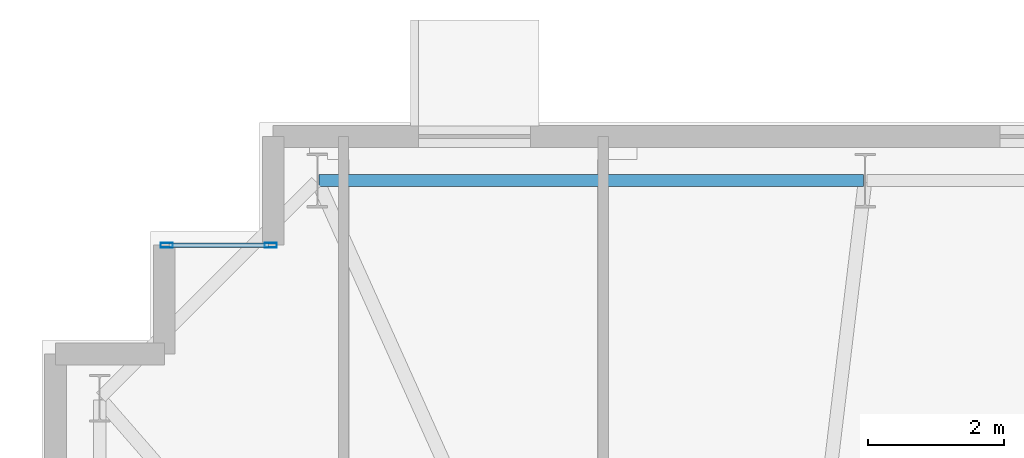
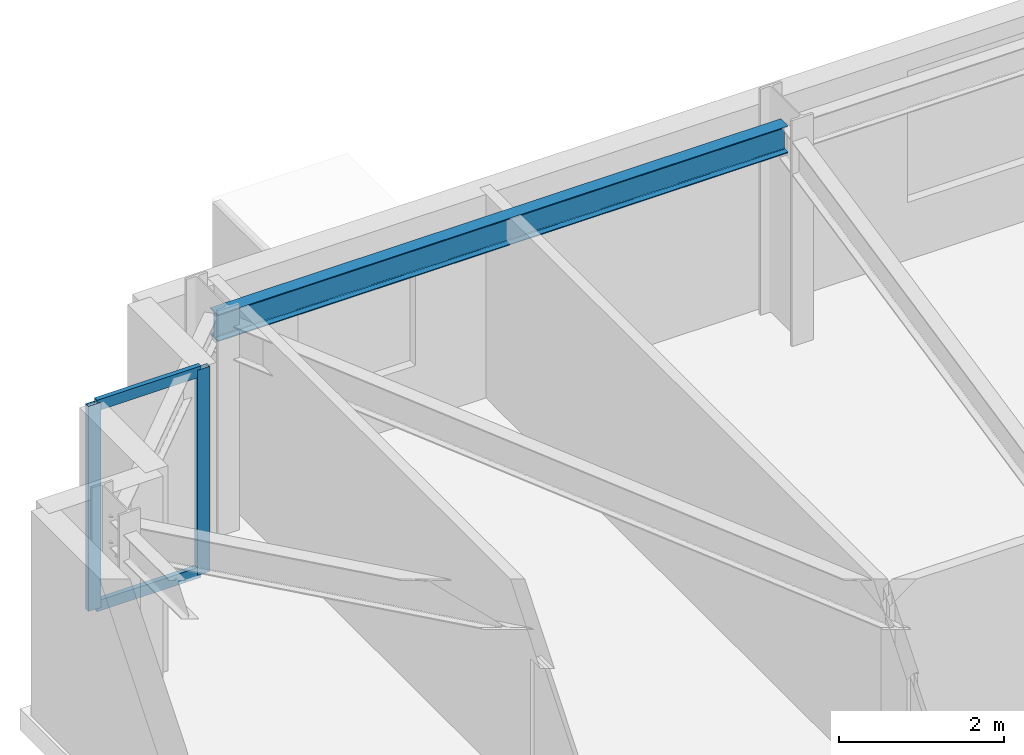
# One storey, part 7 of 18: 4 members, 1 beam, 1 element without a shape of its own.
"""IFC4 building model written with IfcOpenShell, lengths in metres."""

from ifc_helpers import new_model, si_unit, direction, frame, origin, origin_2d, place, context, subcontext, project, spatial, hollow_rectangle, i_section, extrude, material, layer, layer_set, material_profile, profile_set, type_object, element, aggregate, save


model = new_model("IFC4")

# Units and contexts
model_context = context("Model", 3, precision=1e-05, world=origin(), true_north=direction((0.0, 1.0)))
body_context = subcontext(model_context, "Body", "Model", "MODEL_VIEW")
ifc_project = project(units=[si_unit("LENGTHUNIT", "METRE"), si_unit("AREAUNIT", "SQUARE_METRE"), si_unit("VOLUMEUNIT", "CUBIC_METRE"), si_unit("PLANEANGLEUNIT", "RADIAN"), si_unit("MASSUNIT", "GRAM", prefix="KILO")], contexts=[model_context])

# Site, building, storey
site_placement = place(None, origin())
site = spatial("IfcSite", under=ifc_project, at=site_placement, CompositionType="ELEMENT")
building_placement = place(site_placement, origin())
building = spatial("IfcBuilding", under=site, at=building_placement, Name="Qobustan Lattice House", CompositionType="ELEMENT")
storey_placement = place(building_placement, frame((0.0, 0.0, 151.10009765625)))
storey = spatial("IfcBuildingStorey", under=building, at=storey_placement, Name="L42", CompositionType="ELEMENT", Elevation=151.10009765625)

# Beam
ifc_material_1 = material(Name="Steel S355", Category="steel")
ifc_material_profile_1 = material_profile(ifc_material_1, i_section(OverallWidth=0.179931640625, OverallDepth=0.39990234375, WebThickness=0.008544921875, FlangeThickness=0.013427734375, FilletRadius=0.02099609375, at=origin_2d()), Name="IPE400")
ifc_profile_set_1 = profile_set([ifc_material_profile_1], Name="Steel S355")
beam_type = type_object("IfcBeamType", Name="BM-SPD-IPE400", PredefinedType="SPANDREL", material=ifc_profile_set_1)
beam_placement = place(storey_placement, frame((-17.125, 19.75, 2.83984375), z_axis=(-1.0, 0.0, 0.0), x_axis=(0.0, -1.0, 0.0)))
element("IfcBeam", 1, at=beam_placement, inside=storey, type_object=beam_type, Name="L42 perimeter spandrel N6-N7", PredefinedType="SPANDREL", context=body_context, shape_type="SweptSolid", body=[
    extrude(i_section(OverallWidth=0.179931640625, OverallDepth=0.39990234375, WebThickness=0.008544921875, FlangeThickness=0.013427734375, FilletRadius=0.02099609375, at=origin_2d()), origin(), (0.0, 0.0, 1.0), 8.0),
])

# Curtain wall, members
ifc_material_2 = material(Name="Anodised aluminium and low-E glazing", Category="aluminium")
ifc_layer = layer(ifc_material_2, 0.219970703125)
ifc_layer_set = layer_set([ifc_layer], Name="Anodised aluminium and low-E glazing")
curtain_wall_type = type_object("IfcCurtainWallType", Name="CW-FAC-02", PredefinedType="USERDEFINED", material=ifc_layer_set)
curtain_wall_placement = place(storey_placement, origin())
curtain_wall = element("IfcCurtainWall", 2, at=curtain_wall_placement, inside=storey, type_object=curtain_wall_type, Name="L42 serrated corner faceted glazing 8", ObjectType="CURTAIN WALL", PredefinedType="USERDEFINED")
ifc_material_3 = material(Name="Anodised aluminium EN AW-6063 T6", Category="aluminium")
ifc_material_profile_2 = material_profile(ifc_material_3, hollow_rectangle(XDim=0.070068359375, YDim=0.179931640625, WallThickness=0.00439453125, at=origin_2d()), Name="CWM-180x70")
ifc_profile_set_2 = profile_set([ifc_material_profile_2], Name="Anodised aluminium EN AW-6063 T6")
member_type_1 = type_object("IfcMemberType", Name="CWM-STD-180", PredefinedType="MULLION", material=ifc_profile_set_2)
member_1_placement = place(storey_placement, frame((-27.364990234375, 18.800048828125, 0.0), z_axis=(0.0, 0.0, 1.0), x_axis=(0.0, 1.0, 0.0)))
member_1 = element("IfcMember", 3, at=member_1_placement, type_object=member_type_1, Name="CW-F2 mullion 1", PredefinedType="MULLION", context=body_context, shape_type="SweptSolid", body=[
    extrude(hollow_rectangle(XDim=0.070068359375, YDim=0.179931640625, WallThickness=0.00439453125, at=origin_2d()), origin(), (0.0, 0.0, 1.0), 3.039794921875),
])
member_2_placement = place(storey_placement, frame((-25.8349609375, 18.800048828125, 0.0), z_axis=(0.0, 0.0, 1.0), x_axis=(0.0, 1.0, 0.0)))
member_2 = element("IfcMember", 4, at=member_2_placement, type_object=member_type_1, Name="CW-F2 mullion 2", PredefinedType="MULLION", context=body_context, shape_type="SweptSolid", body=[
    extrude(hollow_rectangle(XDim=0.070068359375, YDim=0.179931640625, WallThickness=0.00439453125, at=origin_2d()), origin(), (0.0, 0.0, 1.0), 3.039794921875),
])
ifc_material_4 = material(Name="Anodised aluminium EN AW-6063 T6", Category="aluminium")
ifc_material_profile_3 = material_profile(ifc_material_4, hollow_rectangle(XDim=0.06494140625, YDim=0.159912109375, WallThickness=0.00390625, at=origin_2d()), Name="CWT-160x65")
ifc_profile_set_3 = profile_set([ifc_material_profile_3], Name="Anodised aluminium EN AW-6063 T6")
member_type_2 = type_object("IfcMemberType", Name="CWT-HOR-160", PredefinedType="USERDEFINED", material=ifc_profile_set_3)
member_3_placement = place(storey_placement, frame((-27.330078125, 18.800048828125, 0.032470703125), z_axis=(1.0, 0.0, 0.0), x_axis=(0.0, 1.0, 0.0)))
member_3 = element("IfcMember", 5, at=member_3_placement, type_object=member_type_2, Name="CW-F2 transom 1.1", ObjectType="TRANSOM", PredefinedType="USERDEFINED", context=body_context, shape_type="SweptSolid", body=[
    extrude(hollow_rectangle(XDim=0.06494140625, YDim=0.159912109375, WallThickness=0.00390625, at=origin_2d()), origin(), (0.0, 0.0, 1.0), 1.4599609375),
])
member_4_placement = place(storey_placement, frame((-27.330078125, 18.800048828125, 3.00732421875), z_axis=(1.0, 0.0, 0.0), x_axis=(0.0, 1.0, 0.0)))
member_4 = element("IfcMember", 6, at=member_4_placement, type_object=member_type_2, Name="CW-F2 transom 1.2", ObjectType="TRANSOM", PredefinedType="USERDEFINED", context=body_context, shape_type="SweptSolid", body=[
    extrude(hollow_rectangle(XDim=0.06494140625, YDim=0.159912109375, WallThickness=0.00390625, at=origin_2d()), origin(), (0.0, 0.0, 1.0), 1.4599609375),
])
aggregate(curtain_wall, [member_1, member_2, member_3, member_4])

save(model, "model.ifc")
